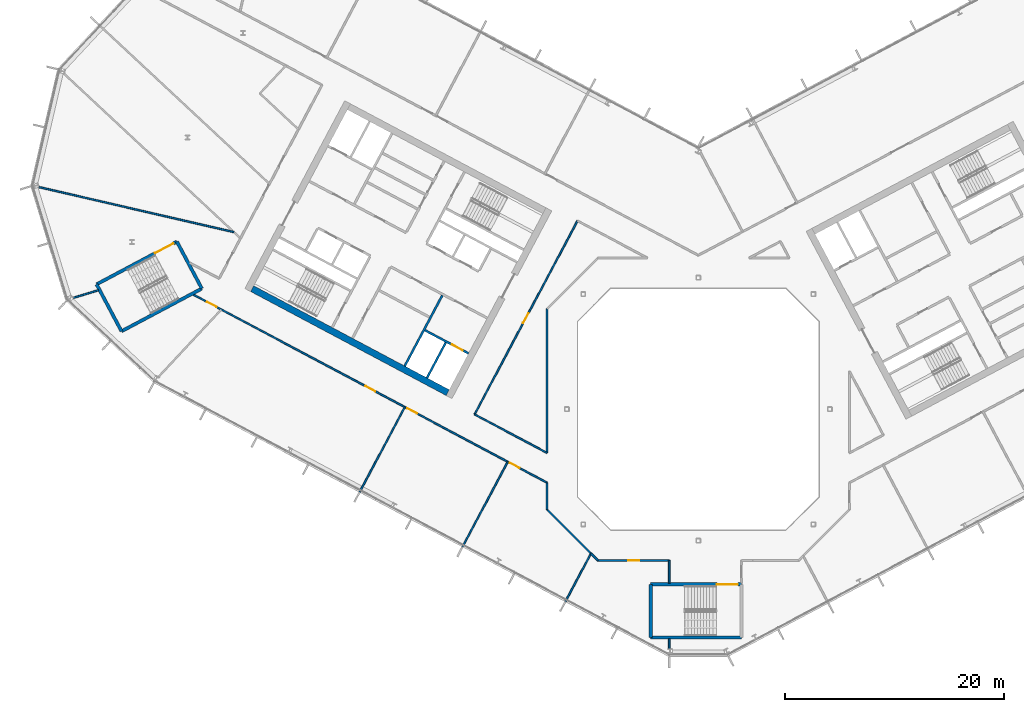
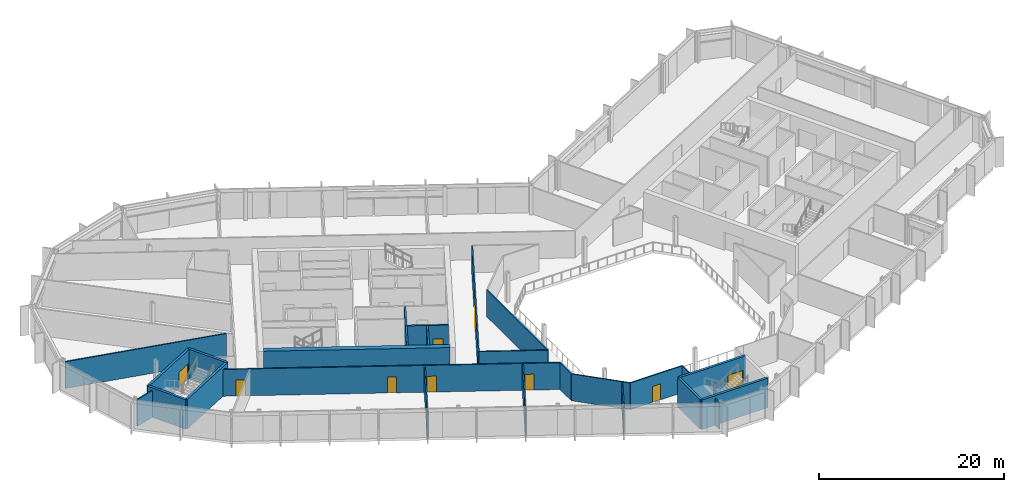
# One storey, part 13 of 27: 26 walls, 9 doors, 9 openings.
"""IFC4 building model written with IfcOpenShell, lengths in metres."""

from ifc_helpers import new_model, si_unit, direction, frame, frame_2d, origin, place, context, subcontext, project, spatial, rectangle, extrude, material, layer, layer_set, type_object, element, fill, save


model = new_model("IFC4")

# Units and contexts
model_context = context("Model", 3, precision=1e-05, world=origin(), true_north=direction((0.0, 1.0)))
body_context = subcontext(model_context, "Body", "Model", "MODEL_VIEW")
ifc_project = project(units=[si_unit("LENGTHUNIT", "METRE"), si_unit("AREAUNIT", "SQUARE_METRE"), si_unit("VOLUMEUNIT", "CUBIC_METRE"), si_unit("PLANEANGLEUNIT", "RADIAN"), si_unit("MASSUNIT", "GRAM", prefix="KILO")], contexts=[model_context])

# Site, building, storey
site_placement = place(None, origin())
site = spatial("IfcSite", under=ifc_project, at=site_placement, CompositionType="ELEMENT")
building_placement = place(site_placement, origin())
building = spatial("IfcBuilding", under=site, at=building_placement, Name="Cormorant Relay Tower", CompositionType="ELEMENT")
storey_placement = place(building_placement, frame((0.0, 0.0, 201.300048828125)))
storey = spatial("IfcBuildingStorey", under=building, at=storey_placement, Name="L43", CompositionType="ELEMENT", Elevation=201.300048828125)

# Walls
ifc_material_1 = material(Name="Concrete 50 MPa", Category="concrete")
ifc_layer_1 = layer(ifc_material_1, 0.199951171875)
ifc_layer_set_1 = layer_set([ifc_layer_1], Name="Core shaft wall 200")
wall_type_1 = type_object("IfcWallType", Name="Core shaft wall 200", PredefinedType="SHEAR", material=ifc_layer_set_1)
wall_1_placement = place(storey_placement, frame((-23.04296875, 6.07958984375, 0.0), z_axis=(0.0, 0.0, 1.0), x_axis=(-0.469494272526, -0.882935517501, 0.0)))
element("IfcWall", 1, at=wall_1_placement, inside=storey, type_object=wall_type_1, Name="L43 core A shaft wall", PredefinedType="SHEAR", context=body_context, shape_type="SweptSolid", body=[
    extrude(rectangle(XDim=3.64990234375, YDim=0.199951171875, at=frame_2d((1.824951171875, 0.0))), origin(), (0.0, 0.0, 1.0), 3.89990234375),
])
wall_2_placement = place(storey_placement, frame((-23.360107421875, 10.38232421875, 0.0), z_axis=(0.0, 0.0, 1.0), x_axis=(-0.469480409012, -0.88294288918, 0.0)))
element("IfcWall", 2, at=wall_2_placement, inside=storey, type_object=wall_type_1, Name="L43 core A shaft wall", PredefinedType="SHEAR", context=body_context, shape_type="SweptSolid", body=[
    extrude(rectangle(XDim=7.300048828125, YDim=0.199951171875, at=frame_2d((3.64990234375, 0.0))), origin(), (0.0, 0.0, 1.0), 3.89990234375),
])

# Wall, opening, door
wall_3_placement = place(storey_placement, frame((-20.96533203125, 5.088134765625, 0.0), z_axis=(0.0, 0.0, 1.0), x_axis=(-0.882925986334, 0.469512196493, 0.0)))
wall_3 = element("IfcWall", 3, at=wall_3_placement, inside=storey, type_object=wall_type_1, Name="L43 core A shaft wall", PredefinedType="SHEAR", context=body_context, shape_type="SweptSolid", body=[
    extrude(rectangle(XDim=4.5, YDim=0.199951171875, at=frame_2d((2.25, 0.0))), origin(), (0.0, 0.0, 1.0), 3.89990234375),
])
opening_1_placement = place(wall_3_placement, frame((0.60009765625, 0.0, 0.0)))
opening_1 = element("IfcOpeningElement", 4, at=opening_1_placement, cuts=wall_3, Name="Opening LD1-063", PredefinedType="OPENING", context=body_context, shape_type="SweptSolid", body=[
    extrude(rectangle(XDim=1.10009765625, YDim=2.10009765625, at=frame_2d((0.550048828125, 1.050048828125))), frame((0.0, 0.10986328125, 0.0), z_axis=(0.0, -1.0, 0.0), x_axis=(1.0, 0.0, 0.0)), (0.0, 0.0, 1.0), 0.219970703125),
])
ifc_material_2 = material(Name="Stainless steel 316", Category="steel")
door_type_1 = type_object("IfcDoorType", Name="Lift landing door 1100x2100", OperationType="DOUBLE_DOOR_SLIDING", PredefinedType="DOOR", material=ifc_material_2)
door_1_placement = place(opening_1_placement, origin())
door_1 = element("IfcDoor", 5, at=door_1_placement, inside=storey, type_object=door_type_1, Name="FF1 landing door", OperationType="DOUBLE_DOOR_SLIDING", OverallHeight=2.10009765625, OverallWidth=1.10009765625, PredefinedType="DOOR", context=body_context, shape_type="SweptSolid", body=[
    extrude(rectangle(XDim=1.10009765625, YDim=2.10009765625, at=frame_2d((0.550048828125, 1.050048828125))), frame((0.0, 0.02490234375, 0.0), z_axis=(0.0, -1.0, 0.0), x_axis=(1.0, 0.0, 0.0)), (0.0, 0.0, 1.0), 0.050048828125),
])
fill(opening_1, door_1)

# Wall
ifc_material_3 = material(Name="Concrete 50 MPa", Category="concrete")
ifc_layer_2 = layer(ifc_material_3, 0.60009765625)
ifc_layer_set_2 = layer_set([ifc_layer_2], Name="Core wall 600")
wall_type_2 = type_object("IfcWallType", Name="Core wall 600", PredefinedType="SHEAR", material=ifc_layer_set_2)
wall_4_placement = place(storey_placement, frame((-22.86669921875, 1.51220703125, 0.0), z_axis=(0.0, 0.0, 1.0), x_axis=(-0.88294509198, 0.469476266226, 0.0)))
element("IfcWall", 6, at=wall_4_placement, inside=storey, type_object=wall_type_2, Name="L43 core A wall", PredefinedType="SHEAR", context=body_context, shape_type="SweptSolid", body=[
    extrude(rectangle(XDim=20.199951171875, YDim=0.60009765625, at=frame_2d((10.10009765625, 0.0))), origin(), (0.0, 0.0, 1.0), 3.89990234375),
])

# Wall, openings, doors
ifc_material_4 = material(Name="Gypsum board fire partition")
ifc_layer_3 = layer(ifc_material_4, 0.14990234375)
ifc_layer_set_3 = layer_set([ifc_layer_3], Name="Corridor partition 150 EI 60")
wall_type_3 = type_object("IfcWallType", Name="Corridor partition 150 EI 60", PredefinedType="PARTITIONING", material=ifc_layer_set_3)
wall_5_placement = place(storey_placement, frame((-13.800048828125, -6.7060546875, 0.0), z_axis=(0.0, 0.0, 1.0), x_axis=(-0.882947286887, 0.469472138235, 0.0)))
wall_5 = element("IfcWall", 7, at=wall_5_placement, inside=storey, type_object=wall_type_3, Name="wall/L43/part/015", PredefinedType="PARTITIONING", context=body_context, shape_type="SweptSolid", body=[
    extrude(rectangle(XDim=36.57080078125, YDim=0.14990234375, at=frame_2d((18.285400390625, 0.0))), origin(), (0.0, 0.0, 1.0), 3.5400390625),
])
opening_2_placement = place(wall_5_placement, frame((34.14990234375, 0.0, 0.0)))
opening_2 = element("IfcOpeningElement", 8, at=opening_2_placement, cuts=wall_5, Name="Opening DS-114", PredefinedType="OPENING", context=body_context, shape_type="SweptSolid", body=[
    extrude(rectangle(XDim=1.0, YDim=2.10009765625, at=frame_2d((0.5, 1.050048828125))), frame((0.0, 0.0849609375, 0.0), z_axis=(0.0, -1.0, 0.0), x_axis=(1.0, 0.0, 0.0)), (0.0, 0.0, 1.0), 0.169921875),
])
opening_3_placement = place(wall_5_placement, frame((17.75, 0.0, 0.0)))
opening_3 = element("IfcOpeningElement", 9, at=opening_3_placement, cuts=wall_5, Name="Opening DS-128", PredefinedType="OPENING", context=body_context, shape_type="SweptSolid", body=[
    extrude(rectangle(XDim=1.0, YDim=2.10009765625, at=frame_2d((0.5, 1.050048828125))), frame((0.0, 0.0849609375, 0.0), z_axis=(0.0, -1.0, 0.0), x_axis=(1.0, 0.0, 0.0)), (0.0, 0.0, 1.0), 0.169921875),
])
opening_4_placement = place(wall_5_placement, frame((13.449951171875, 0.0, 0.0)))
opening_4 = element("IfcOpeningElement", 10, at=opening_4_placement, cuts=wall_5, Name="Opening DS-129", PredefinedType="OPENING", context=body_context, shape_type="SweptSolid", body=[
    extrude(rectangle(XDim=1.0, YDim=2.10009765625, at=frame_2d((0.5, 1.050048828125))), frame((0.0, 0.0849609375, 0.0), z_axis=(0.0, -1.0, 0.0), x_axis=(1.0, 0.0, 0.0)), (0.0, 0.0, 1.0), 0.169921875),
])
opening_5_placement = place(wall_5_placement, frame((2.85009765625, 0.0, 0.0)))
opening_5 = element("IfcOpeningElement", 11, at=opening_5_placement, cuts=wall_5, Name="Opening DS-130", PredefinedType="OPENING", context=body_context, shape_type="SweptSolid", body=[
    extrude(rectangle(XDim=1.0, YDim=2.10009765625, at=frame_2d((0.5, 1.050048828125))), frame((0.0, 0.0849609375, 0.0), z_axis=(0.0, -1.0, 0.0), x_axis=(1.0, 0.0, 0.0)), (0.0, 0.0, 1.0), 0.169921875),
])
ifc_material_5 = material(Name="Timber door leaf", Category="wood")
door_type_2 = type_object("IfcDoorType", Name="Suite door 1000x2100", OperationType="SINGLE_SWING_LEFT", PredefinedType="DOOR", material=ifc_material_5)
door_2_placement = place(opening_2_placement, origin())
door_2 = element("IfcDoor", 12, at=door_2_placement, inside=storey, type_object=door_type_2, Name="door/L43/009", OperationType="SINGLE_SWING_LEFT", OverallHeight=2.10009765625, OverallWidth=1.0, PredefinedType="DOOR", context=body_context, shape_type="SweptSolid", body=[
    extrude(rectangle(XDim=1.0, YDim=2.10009765625, at=frame_2d((0.5, 1.050048828125))), frame((0.0, 0.02490234375, 0.0), z_axis=(0.0, -1.0, 0.0), x_axis=(1.0, 0.0, 0.0)), (0.0, 0.0, 1.0), 0.050048828125),
])
fill(opening_2, door_2)
door_3_placement = place(opening_3_placement, origin())
door_3 = element("IfcDoor", 13, at=door_3_placement, inside=storey, type_object=door_type_2, Name="door/L43/010", OperationType="SINGLE_SWING_LEFT", OverallHeight=2.10009765625, OverallWidth=1.0, PredefinedType="DOOR", context=body_context, shape_type="SweptSolid", body=[
    extrude(rectangle(XDim=1.0, YDim=2.10009765625, at=frame_2d((0.5, 1.050048828125))), frame((0.0, 0.02490234375, 0.0), z_axis=(0.0, -1.0, 0.0), x_axis=(1.0, 0.0, 0.0)), (0.0, 0.0, 1.0), 0.050048828125),
])
fill(opening_3, door_3)
door_4_placement = place(opening_4_placement, origin())
door_4 = element("IfcDoor", 14, at=door_4_placement, inside=storey, type_object=door_type_2, Name="door/L43/011", OperationType="SINGLE_SWING_RIGHT", OverallHeight=2.10009765625, OverallWidth=1.0, PredefinedType="DOOR", context=body_context, shape_type="SweptSolid", body=[
    extrude(rectangle(XDim=1.0, YDim=2.10009765625, at=frame_2d((0.5, 1.050048828125))), frame((0.0, 0.02490234375, 0.0), z_axis=(0.0, -1.0, 0.0), x_axis=(1.0, 0.0, 0.0)), (0.0, 0.0, 1.0), 0.050048828125),
])
fill(opening_4, door_4)
door_5_placement = place(opening_5_placement, origin())
door_5 = element("IfcDoor", 15, at=door_5_placement, inside=storey, type_object=door_type_2, Name="door/L43/012", OperationType="SINGLE_SWING_RIGHT", OverallHeight=2.10009765625, OverallWidth=1.0, PredefinedType="DOOR", context=body_context, shape_type="SweptSolid", body=[
    extrude(rectangle(XDim=1.0, YDim=2.10009765625, at=frame_2d((0.5, 1.050048828125))), frame((0.0, 0.02490234375, 0.0), z_axis=(0.0, -1.0, 0.0), x_axis=(1.0, 0.0, 0.0)), (0.0, 0.0, 1.0), 0.050048828125),
])
fill(opening_5, door_5)

# Walls
wall_6_placement = place(storey_placement, frame((-9.759033203125, -13.199951171875, 0.0), z_axis=(0.0, 0.0, 1.0), x_axis=(-0.707192226993, 0.707021325053, 0.0)))
element("IfcWall", 16, at=wall_6_placement, inside=storey, type_object=wall_type_3, Name="wall/L43/part/021", PredefinedType="PARTITIONING", context=body_context, shape_type="SweptSolid", body=[
    extrude(rectangle(XDim=5.714111328125, YDim=0.14990234375, at=frame_2d((2.85693359375, 0.0))), origin(), (0.0, 0.0, 1.0), 3.5400390625),
])
wall_7_placement = place(storey_placement, frame((-13.800048828125, -9.159912109375, 0.0), z_axis=(0.0, 0.0, 1.0), x_axis=(0.0, 1.0, 0.0)))
element("IfcWall", 17, at=wall_7_placement, inside=storey, type_object=wall_type_3, Name="wall/L43/part/022", PredefinedType="PARTITIONING", context=body_context, shape_type="SweptSolid", body=[
    extrude(rectangle(XDim=2.43701171875, YDim=0.14990234375, at=frame_2d((1.218505859375, 0.0))), origin(), (0.0, 0.0, 1.0), 3.5400390625),
])

# Wall, opening, door
wall_8_placement = place(storey_placement, frame((-2.64892578125, -13.800048828125, 0.0), z_axis=(0.0, 0.0, 1.0), x_axis=(-1.0, 0.0, 0.0)))
wall_8 = element("IfcWall", 18, at=wall_8_placement, inside=storey, type_object=wall_type_3, Name="wall/L43/part/025", PredefinedType="PARTITIONING", context=body_context, shape_type="SweptSolid", body=[
    extrude(rectangle(XDim=6.510986328125, YDim=0.14990234375, at=frame_2d((3.25537109375, 0.0))), origin(), (0.0, 0.0, 1.0), 3.5400390625),
])
opening_6_placement = place(wall_8_placement, frame((2.75, 0.0, 0.0)))
opening_6 = element("IfcOpeningElement", 19, at=opening_6_placement, cuts=wall_8, Name="Opening DS-131", PredefinedType="OPENING", context=body_context, shape_type="SweptSolid", body=[
    extrude(rectangle(XDim=1.0, YDim=2.10009765625, at=frame_2d((0.5, 1.050048828125))), frame((0.0, 0.0849609375, 0.0), z_axis=(0.0, -1.0, 0.0), x_axis=(1.0, 0.0, 0.0)), (0.0, 0.0, 1.0), 0.169921875),
])
door_6_placement = place(opening_6_placement, origin())
door_6 = element("IfcDoor", 20, at=door_6_placement, inside=storey, type_object=door_type_2, Name="door/L43/013", OperationType="SINGLE_SWING_LEFT", OverallHeight=2.10009765625, OverallWidth=1.0, PredefinedType="DOOR", context=body_context, shape_type="SweptSolid", body=[
    extrude(rectangle(XDim=1.0, YDim=2.10009765625, at=frame_2d((0.5, 1.050048828125))), frame((0.0, 0.02490234375, 0.0), z_axis=(0.0, -1.0, 0.0), x_axis=(1.0, 0.0, 0.0)), (0.0, 0.0, 1.0), 0.050048828125),
])
fill(opening_6, door_6)

# Walls
wall_9_placement = place(storey_placement, frame((-9.791015625, -13.1689453125, 0.0), z_axis=(0.0, 0.0, 1.0), x_axis=(0.707653231313, -0.706559908438, 0.0)))
element("IfcWall", 21, at=wall_9_placement, inside=storey, type_object=wall_type_3, Name="wall/L43/part/026", PredefinedType="PARTITIONING", context=body_context, shape_type="SweptSolid", body=[
    extrude(rectangle(XDim=0.893310546875, YDim=0.14990234375, at=frame_2d((0.44677734375, 0.0))), origin(), (0.0, 0.0, 1.0), 3.5400390625),
])
wall_10_placement = place(storey_placement, frame((-2.64892578125, -13.800048828125, 0.0), z_axis=(0.0, 0.0, 1.0), x_axis=(0.0, -1.0, 0.0)))
element("IfcWall", 22, at=wall_10_placement, inside=storey, type_object=wall_type_3, Name="wall/L43/part/027", PredefinedType="PARTITIONING", context=body_context, shape_type="SweptSolid", body=[
    extrude(rectangle(XDim=2.074951171875, YDim=0.14990234375, at=frame_2d((1.03759765625, 0.0))), origin(), (0.0, 0.0, 1.0), 3.5400390625),
])

# Wall, opening, door
wall_11_placement = place(storey_placement, frame((-20.410888671875, -0.472900390625, 0.0), z_axis=(0.0, 0.0, 1.0), x_axis=(0.469451816494, 0.882958091865, 0.0)))
wall_11 = element("IfcWall", 23, at=wall_11_placement, inside=storey, type_object=wall_type_3, Name="wall/L43/part/044", PredefinedType="PARTITIONING", context=body_context, shape_type="SweptSolid", body=[
    extrude(rectangle(XDim=19.999755859375, YDim=0.14990234375, at=frame_2d((10.0, 0.0))), origin(), (0.0, 0.0, 1.0), 3.5400390625),
])
opening_7_placement = place(wall_11_placement, frame((9.449951171875, 0.0, 0.0)))
opening_7 = element("IfcOpeningElement", 24, at=opening_7_placement, cuts=wall_11, Name="Opening DS-132", PredefinedType="OPENING", context=body_context, shape_type="SweptSolid", body=[
    extrude(rectangle(XDim=1.0, YDim=2.10009765625, at=frame_2d((0.5, 1.050048828125))), frame((0.0, 0.0849609375, 0.0), z_axis=(0.0, -1.0, 0.0), x_axis=(1.0, 0.0, 0.0)), (0.0, 0.0, 1.0), 0.169921875),
])
door_7_placement = place(opening_7_placement, frame((1.0, 0.0, 0.0), z_axis=(0.0, 0.0, 1.0), x_axis=(-1.0, 0.0, 0.0)))
door_7 = element("IfcDoor", 25, at=door_7_placement, inside=storey, type_object=door_type_2, Name="door/L43/014", OperationType="SINGLE_SWING_LEFT", OverallHeight=2.10009765625, OverallWidth=1.0, PredefinedType="DOOR", context=body_context, shape_type="SweptSolid", body=[
    extrude(rectangle(XDim=1.0, YDim=2.10009765625, at=frame_2d((0.5, 1.050048828125))), frame((0.0, 0.02490234375, 0.0), z_axis=(0.0, -1.0, 0.0), x_axis=(1.0, 0.0, 0.0)), (0.0, 0.0, 1.0), 0.050048828125),
])
fill(opening_7, door_7)

# Walls
wall_12_placement = place(storey_placement, frame((-13.800048828125, 9.159912109375, 0.0), z_axis=(0.0, 0.0, 1.0), x_axis=(0.0, -1.0, 0.0)))
element("IfcWall", 26, at=wall_12_placement, inside=storey, type_object=wall_type_3, Name="wall/L43/part/048", PredefinedType="PARTITIONING", context=body_context, shape_type="SweptSolid", body=[
    extrude(rectangle(XDim=13.14794921875, YDim=0.14990234375, at=frame_2d((6.573974609375, 0.0))), origin(), (0.0, 0.0, 1.0), 3.5400390625),
])
wall_13_placement = place(storey_placement, frame((-13.800048828125, -3.988037109375, 0.0), z_axis=(0.0, 0.0, 1.0), x_axis=(-0.88294256459, 0.469481019461, 0.0)))
element("IfcWall", 27, at=wall_13_placement, inside=storey, type_object=wall_type_3, Name="wall/L43/part/049", PredefinedType="PARTITIONING", context=body_context, shape_type="SweptSolid", body=[
    extrude(rectangle(XDim=7.4873046875, YDim=0.14990234375, at=frame_2d((3.74365234375, 0.0))), origin(), (0.0, 0.0, 1.0), 3.5400390625),
])
ifc_material_6 = material(Name="Concrete 50 MPa", Category="concrete")
ifc_layer_4 = layer(ifc_material_6, 0.300048828125)
ifc_layer_set_4 = layer_set([ifc_layer_4], Name="Remote stair wall 300")
wall_type_4 = type_object("IfcWallType", Name="Remote stair wall 300", PredefinedType="SHEAR", material=ifc_layer_set_4)
wall_14_placement = place(storey_placement, frame((3.949951171875, -20.824951171875, 0.0), z_axis=(0.0, 0.0, 1.0), x_axis=(-1.0, 0.0, 0.0)))
element("IfcWall", 28, at=wall_14_placement, inside=storey, type_object=wall_type_4, Name="L43 exit stair RK1 wall", PredefinedType="SHEAR", context=body_context, shape_type="SweptSolid", body=[
    extrude(rectangle(XDim=8.300048828125, YDim=0.300048828125, at=frame_2d((4.14990234375, 0.0))), origin(), (0.0, 0.0, 1.0), 3.89990234375),
])
wall_15_placement = place(storey_placement, frame((-4.35009765625, -20.824951171875, 0.0), z_axis=(0.0, 0.0, 1.0), x_axis=(0.0, 1.0, 0.0)))
element("IfcWall", 29, at=wall_15_placement, inside=storey, type_object=wall_type_4, Name="L43 exit stair RK1 wall", PredefinedType="SHEAR", context=body_context, shape_type="SweptSolid", body=[
    extrude(rectangle(XDim=4.849853515625, YDim=0.300048828125, at=frame_2d((2.4248046875, 0.0))), origin(), (0.0, 0.0, 1.0), 3.89990234375),
])

# Wall, opening, door
wall_16_placement = place(storey_placement, frame((-4.35009765625, -15.97509765625, 0.0), z_axis=(0.0, 0.0, 1.0), x_axis=(1.0, 0.0, 0.0)))
wall_16 = element("IfcWall", 30, at=wall_16_placement, inside=storey, type_object=wall_type_4, Name="L43 exit stair RK1 wall", PredefinedType="SHEAR", context=body_context, shape_type="SweptSolid", body=[
    extrude(rectangle(XDim=8.300048828125, YDim=0.300048828125, at=frame_2d((4.14990234375, 0.0))), origin(), (0.0, 0.0, 1.0), 3.89990234375),
])
opening_8_placement = place(wall_16_placement, frame((6.050048828125, 0.0, 0.0)))
opening_8 = element("IfcOpeningElement", 31, at=opening_8_placement, cuts=wall_16, Name="Opening CDE-014", PredefinedType="OPENING", context=body_context, shape_type="SweptSolid", body=[
    extrude(rectangle(XDim=1.89990234375, YDim=2.10009765625, at=frame_2d((0.949951171875, 1.050048828125))), frame((0.0, 0.159912109375, 0.0), z_axis=(0.0, -1.0, 0.0), x_axis=(1.0, 0.0, 0.0)), (0.0, 0.0, 1.0), 0.320068359375),
])
ifc_material_7 = material(Name="Steel fire door", Category="steel")
door_type_3 = type_object("IfcDoorType", Name="Remote stair door 1900x2100", OperationType="DOUBLE_DOOR_SINGLE_SWING", PredefinedType="DOOR", material=ifc_material_7)
door_8_placement = place(opening_8_placement, frame((1.89990234375, 0.0, 0.0), z_axis=(0.0, 0.0, 1.0), x_axis=(-1.0, 0.0, 0.0)))
door_8 = element("IfcDoor", 32, at=door_8_placement, inside=storey, type_object=door_type_3, Name="Exit stair RK1 door", OperationType="DOUBLE_DOOR_SINGLE_SWING", OverallHeight=2.10009765625, OverallWidth=1.89990234375, PredefinedType="DOOR", context=body_context, shape_type="SweptSolid", body=[
    extrude(rectangle(XDim=1.89990234375, YDim=2.10009765625, at=frame_2d((0.949951171875, 1.050048828125))), frame((0.0, 0.02490234375, 0.0), z_axis=(0.0, -1.0, 0.0), x_axis=(1.0, 0.0, 0.0)), (0.0, 0.0, 1.0), 0.050048828125),
])
fill(opening_8, door_8)

# Walls
wall_17_placement = place(storey_placement, frame((-47.57421875, 15.28955078125, 0.0), z_axis=(0.0, 0.0, 1.0), x_axis=(0.469443498566, -0.882962514297, 0.0)))
element("IfcWall", 33, at=wall_17_placement, inside=storey, type_object=wall_type_4, Name="L43 exit stair RP1 wall", PredefinedType="SHEAR", context=body_context, shape_type="SweptSolid", body=[
    extrude(rectangle(XDim=4.85009765625, YDim=0.300048828125, at=frame_2d((2.425048828125, 0.0))), origin(), (0.0, 0.0, 1.0), 3.89990234375),
])
wall_18_placement = place(storey_placement, frame((-45.29736328125, 11.007080078125, 0.0), z_axis=(0.0, 0.0, 1.0), x_axis=(-0.882951519127, -0.469464178475, 0.0)))
element("IfcWall", 34, at=wall_18_placement, inside=storey, type_object=wall_type_4, Name="L43 exit stair RP1 wall", PredefinedType="SHEAR", context=body_context, shape_type="SweptSolid", body=[
    extrude(rectangle(XDim=8.2998046875, YDim=0.300048828125, at=frame_2d((4.14990234375, 0.0))), origin(), (0.0, 0.0, 1.0), 3.89990234375),
])
wall_19_placement = place(storey_placement, frame((-52.625732421875, 7.110595703125, 0.0), z_axis=(0.0, 0.0, 1.0), x_axis=(-0.469464364128, 0.882951420416, 0.0)))
element("IfcWall", 35, at=wall_19_placement, inside=storey, type_object=wall_type_4, Name="L43 exit stair RP1 wall", PredefinedType="SHEAR", context=body_context, shape_type="SweptSolid", body=[
    extrude(rectangle(XDim=4.849853515625, YDim=0.300048828125, at=frame_2d((2.4248046875, 0.0))), origin(), (0.0, 0.0, 1.0), 3.89990234375),
])

# Wall, opening, door
wall_20_placement = place(storey_placement, frame((-54.902587890625, 11.392822265625, 0.0), z_axis=(0.0, 0.0, 1.0), x_axis=(0.882939326045, 0.469487110071, 0.0)))
wall_20 = element("IfcWall", 36, at=wall_20_placement, inside=storey, type_object=wall_type_4, Name="L43 exit stair RP1 wall", PredefinedType="SHEAR", context=body_context, shape_type="SweptSolid", body=[
    extrude(rectangle(XDim=8.300048828125, YDim=0.300048828125, at=frame_2d((4.14990234375, 0.0))), origin(), (0.0, 0.0, 1.0), 3.89990234375),
])
opening_9_placement = place(wall_20_placement, frame((6.050048828125, 0.0, 0.0)))
opening_9 = element("IfcOpeningElement", 37, at=opening_9_placement, cuts=wall_20, Name="Opening CDE-015", PredefinedType="OPENING", context=body_context, shape_type="SweptSolid", body=[
    extrude(rectangle(XDim=1.89990234375, YDim=2.10009765625, at=frame_2d((0.949951171875, 1.050048828125))), frame((0.0, 0.159912109375, 0.0), z_axis=(0.0, -1.0, 0.0), x_axis=(1.0, 0.0, 0.0)), (0.0, 0.0, 1.0), 0.320068359375),
])
door_9_placement = place(opening_9_placement, frame((1.89990234375, 0.0, 0.0), z_axis=(0.0, 0.0, 1.0), x_axis=(-1.0, 0.0, 0.0)))
door_9 = element("IfcDoor", 38, at=door_9_placement, inside=storey, type_object=door_type_3, Name="Exit stair RP1 door", OperationType="DOUBLE_DOOR_SINGLE_SWING", OverallHeight=2.10009765625, OverallWidth=1.89990234375, PredefinedType="DOOR", context=body_context, shape_type="SweptSolid", body=[
    extrude(rectangle(XDim=1.89990234375, YDim=2.10009765625, at=frame_2d((0.949951171875, 1.050048828125))), frame((0.0, 0.02490234375, 0.0), z_axis=(0.0, -1.0, 0.0), x_axis=(1.0, 0.0, 0.0)), (0.0, 0.0, 1.0), 0.050048828125),
])
fill(opening_9, door_9)

# Walls
ifc_material_8 = material(Name="Gypsum board partition")
ifc_layer_5 = layer(ifc_material_8, 0.14990234375)
ifc_layer_set_5 = layer_set([ifc_layer_5], Name="Tenant partition 150")
wall_type_5 = type_object("IfcWallType", Name="Tenant partition 150", PredefinedType="PARTITIONING", material=ifc_layer_set_5)
wall_21_placement = place(storey_placement, frame((-60.162109375, 20.264892578125, 0.0), z_axis=(0.0, 0.0, 1.0), x_axis=(0.974367298847, -0.224963034603, 0.0)))
element("IfcWall", 39, at=wall_21_placement, inside=storey, type_object=wall_type_5, Name="wall/L43/part/001", PredefinedType="PARTITIONING", context=body_context, shape_type="SweptSolid", body=[
    extrude(rectangle(XDim=18.256103515625, YDim=0.14990234375, at=frame_2d((9.1279296875, 0.0))), origin(), (0.0, 0.0, 1.0), 3.5400390625),
])
wall_22_placement = place(storey_placement, frame((-54.73193359375, 10.85693359375, 0.0), z_axis=(0.0, 0.0, 1.0), x_axis=(-0.956308315689, -0.292360061129, 0.0)))
element("IfcWall", 40, at=wall_22_placement, inside=storey, type_object=wall_type_5, Name="wall/L43/part/004", PredefinedType="PARTITIONING", context=body_context, shape_type="SweptSolid", body=[
    extrude(rectangle(XDim=2.36669921875, YDim=0.14990234375, at=frame_2d((1.183349609375, 0.0))), origin(), (0.0, 0.0, 1.0), 3.5400390625),
])
for number, where, z_axis, x_axis, name in (
    (41, (-26.777099609375, 0.194091796875, 0.0), (0.0, 0.0, 1.0), (-0.469510830369, -0.882926712794, 0.0), "wall/L43/part/010"),
    (42, (-17.387939453125, -4.798095703125, 0.0), (0.0, 0.0, 1.0), (-0.469532456729, -0.882915212281, 0.0), "wall/L43/part/018"),
):
    element("IfcWall", number, at=place(storey_placement, frame(where, z_axis=z_axis, x_axis=x_axis)), inside=storey, type_object=wall_type_5, Name=name, PredefinedType="PARTITIONING", context=body_context, shape_type="SweptSolid", body=[
        extrude(rectangle(XDim=8.80029296875, YDim=0.14990234375, at=frame_2d((4.400146484375, 0.0))), origin(), (0.0, 0.0, 1.0), 3.5400390625),
    ])
wall_23_placement = place(storey_placement, frame((-9.7939453125, -13.1650390625, 0.0), z_axis=(0.0, 0.0, 1.0), x_axis=(-0.469669090987, -0.882842536906, 0.0)))
element("IfcWall", 43, at=wall_23_placement, inside=storey, type_object=wall_type_5, Name="wall/L43/part/023", PredefinedType="PARTITIONING", context=body_context, shape_type="SweptSolid", body=[
    extrude(rectangle(XDim=4.978271484375, YDim=0.14990234375, at=frame_2d((2.4892578125, 0.0))), origin(), (0.0, 0.0, 1.0), 3.5400390625),
])
wall_24_placement = place(storey_placement, frame((-2.64892578125, -20.925048828125, 0.0), z_axis=(0.0, 0.0, 1.0), x_axis=(0.0, -1.0, 0.0)))
element("IfcWall", 44, at=wall_24_placement, inside=storey, type_object=wall_type_5, Name="wall/L43/part/028", PredefinedType="PARTITIONING", context=body_context, shape_type="SweptSolid", body=[
    extrude(rectangle(XDim=0.94189453125, YDim=0.14990234375, at=frame_2d((0.470947265625, 0.0))), origin(), (0.0, 0.0, 1.0), 3.5400390625),
])

save(model, "model.ifc")
